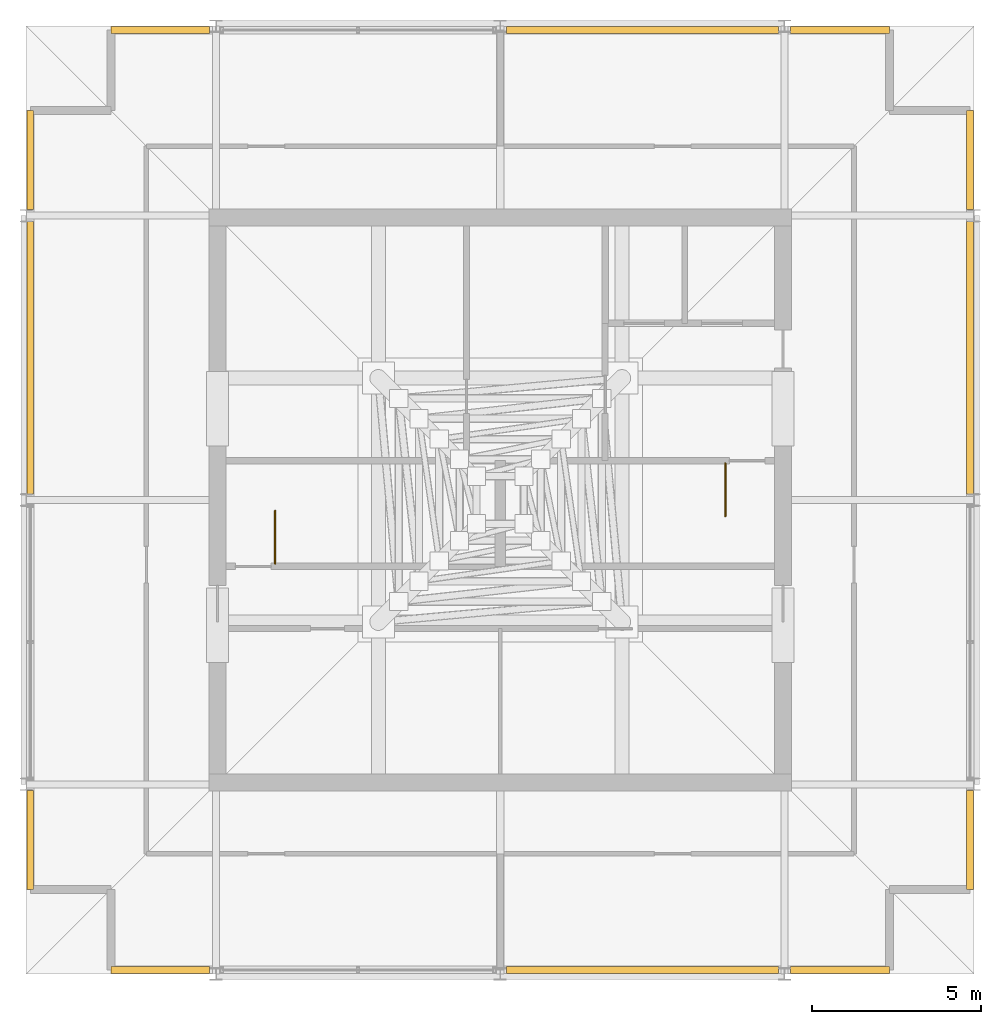
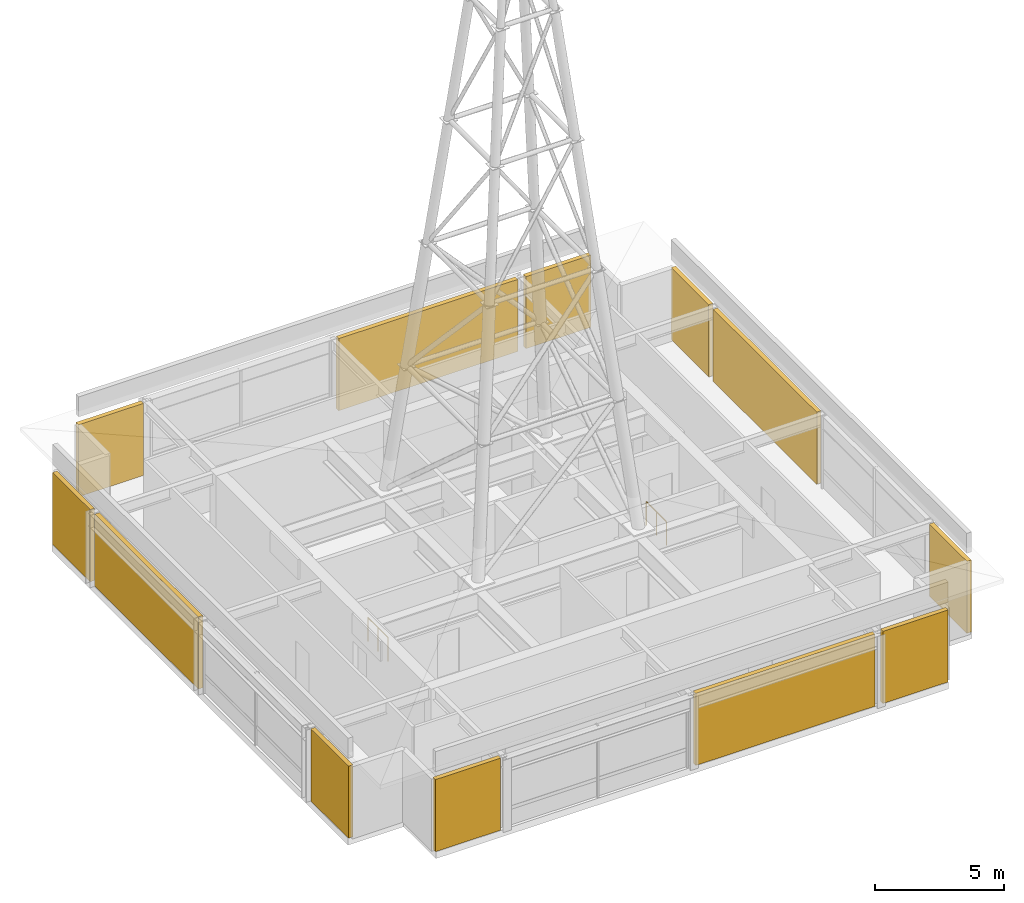
# One storey, part 13 of 13: 12 shading devices, 2 railings.
"""IFC4 building model written with IfcOpenShell, lengths in metres."""

from ifc_helpers import new_model, si_unit, direction, frame, origin, origin_2d, place, context, subcontext, project, spatial, rectangle, circle, extrude, material, layer, layer_set, type_object, element, save


model = new_model("IFC4")

# Units and contexts
model_context = context("Model", 3, precision=1e-05, world=origin(), true_north=direction((0.0, 1.0)))
body_context = subcontext(model_context, "Body", "Model", "MODEL_VIEW")
ifc_project = project(units=[si_unit("LENGTHUNIT", "METRE"), si_unit("AREAUNIT", "SQUARE_METRE"), si_unit("VOLUMEUNIT", "CUBIC_METRE"), si_unit("PLANEANGLEUNIT", "RADIAN"), si_unit("MASSUNIT", "GRAM", prefix="KILO")], contexts=[model_context])

# Site, building, storey
site_placement = place(None, origin())
site = spatial("IfcSite", under=ifc_project, at=site_placement, CompositionType="ELEMENT")
building_placement = place(site_placement, origin())
building = spatial("IfcBuilding", under=site, at=building_placement, Name="Drelvath Grand Hotel", CompositionType="ELEMENT")
storey_placement = place(building_placement, frame((0.0, 0.0, 323.199951171875)))
storey = spatial("IfcBuildingStorey", under=building, at=storey_placement, Name="L84", CompositionType="ELEMENT", Elevation=323.199951171875)

# Railings
ifc_material_1 = material(Name="Painted Steel S275", Category="steel")
railing_type = type_object("IfcRailingType", Name="Core Stair Well Guardrail 1100", PredefinedType="GUARDRAIL", material=ifc_material_1)
railing_1_placement = place(storey_placement, frame((-6.64990234375, 25.1201171875, 0.0)))
element("IfcRailing", 1, at=railing_1_placement, inside=storey, type_object=railing_type, Name="L84 ST-1 top well guard 1", PredefinedType="GUARDRAIL", context=body_context, shape_type="SweptSolid", body=[
    extrude(circle(Radius=0.02392578125, at=origin_2d()), frame((0.0, 0.0, 1.1259765625), z_axis=(0.0, 1.0, 0.0), x_axis=(-1.0, 0.0, 0.0)), (0.0, 0.0, 1.0), 1.559814453125),
    extrude(circle(Radius=0.02099609375, at=origin_2d()), origin(), (0.0, 0.0, 1.0), 1.101806640625),
    extrude(circle(Radius=0.02099609375, at=origin_2d()), frame((0.0, 0.77978515625, 0.0)), (0.0, 0.0, 1.0), 1.101806640625),
    extrude(circle(Radius=0.02099609375, at=origin_2d()), frame((0.0, 1.559814453125, 0.0)), (0.0, 0.0, 1.0), 1.101806640625),
])
railing_2_placement = place(storey_placement, frame((6.64990234375, 28.080078125, 0.0)))
element("IfcRailing", 2, at=railing_2_placement, inside=storey, type_object=railing_type, Name="L84 ST-2 top well guard 1", PredefinedType="GUARDRAIL", context=body_context, shape_type="SweptSolid", body=[
    extrude(circle(Radius=0.02392578125, at=origin_2d()), frame((0.0, 0.0, 1.1259765625), z_axis=(0.0, -1.0, 0.0), x_axis=(1.0, 0.0, 0.0)), (0.0, 0.0, 1.0), 1.56005859375),
    extrude(circle(Radius=0.02099609375, at=origin_2d()), origin(), (0.0, 0.0, 1.0), 1.101806640625),
    extrude(circle(Radius=0.02099609375, at=origin_2d()), frame((0.0, -0.780029296875, 0.0)), (0.0, 0.0, 1.0), 1.101806640625),
    extrude(circle(Radius=0.02099609375, at=origin_2d()), frame((0.0, -1.56005859375, 0.0)), (0.0, 0.0, 1.0), 1.101806640625),
])

# Shading devices
ifc_material_2 = material(Name="Platinum-Mist Anodised Aluminium Louvre", Category="aluminium")
ifc_layer = layer(ifc_material_2, 0.199951171875)
ifc_layer_set = layer_set([ifc_layer], Name="Platinum-Mist Anodised Aluminium Louvre")
shading_device_type = type_object("IfcShadingDeviceType", Name="Crown Drum Screened Acoustic Louvre 200", PredefinedType="USERDEFINED", material=ifc_layer_set)
shading_device_1_placement = place(storey_placement, frame((-13.8798828125, 16.962890625, 0.0), z_axis=(0.0, 0.0, 1.0), x_axis=(0.0, 1.0, 0.0)))
element("IfcShadingDevice", 3, at=shading_device_1_placement, inside=storey, type_object=shading_device_type, Name="L84 Crown Drum Acoustic Louvre W-1", ObjectType="LOUVRE", PredefinedType="USERDEFINED", context=body_context, shape_type="SweptSolid", body=[
    extrude(rectangle(XDim=2.926025390625, YDim=0.199951171875, at=origin_2d()), origin(), (0.0, 0.0, 1.0), 3.419921875),
])
shading_device_2_placement = place(storey_placement, frame((-13.8798828125, 31.199951171875, 0.0), z_axis=(0.0, 0.0, 1.0), x_axis=(0.0, 1.0, 0.0)))
element("IfcShadingDevice", 4, at=shading_device_2_placement, inside=storey, type_object=shading_device_type, Name="L84 Crown Drum Acoustic Louvre W-3", ObjectType="LOUVRE", PredefinedType="USERDEFINED", context=body_context, shape_type="SweptSolid", body=[
    extrude(rectangle(XDim=8.052001953125, YDim=0.199951171875, at=origin_2d()), origin(), (0.0, 0.0, 1.0), 3.419921875),
])
for number, where, z_axis, x_axis, name in (
    (5, (-13.8798828125, 37.037109375, 0.0), (0.0, 0.0, 1.0), (0.0, 1.0, 0.0), "L84 Crown Drum Acoustic Louvre W-4"),
    (6, (13.8798828125, 16.962890625, 0.0), (0.0, 0.0, 1.0), (0.0, 1.0, 0.0), "L84 Crown Drum Acoustic Louvre E-1"),
):
    element("IfcShadingDevice", number, at=place(storey_placement, frame(where, z_axis=z_axis, x_axis=x_axis)), inside=storey, type_object=shading_device_type, Name=name, ObjectType="LOUVRE", PredefinedType="USERDEFINED", context=body_context, shape_type="SweptSolid", body=[
        extrude(rectangle(XDim=2.926025390625, YDim=0.199951171875, at=origin_2d()), origin(), (0.0, 0.0, 1.0), 3.419921875),
    ])
shading_device_3_placement = place(storey_placement, frame((13.8798828125, 31.199951171875, 0.0), z_axis=(0.0, 0.0, 1.0), x_axis=(0.0, 1.0, 0.0)))
element("IfcShadingDevice", 7, at=shading_device_3_placement, inside=storey, type_object=shading_device_type, Name="L84 Crown Drum Acoustic Louvre E-3", ObjectType="LOUVRE", PredefinedType="USERDEFINED", context=body_context, shape_type="SweptSolid", body=[
    extrude(rectangle(XDim=8.052001953125, YDim=0.199951171875, at=origin_2d()), origin(), (0.0, 0.0, 1.0), 3.419921875),
])
shading_device_4_placement = place(storey_placement, frame((13.8798828125, 37.037109375, 0.0), z_axis=(0.0, 0.0, 1.0), x_axis=(0.0, 1.0, 0.0)))
element("IfcShadingDevice", 8, at=shading_device_4_placement, inside=storey, type_object=shading_device_type, Name="L84 Crown Drum Acoustic Louvre E-4", ObjectType="LOUVRE", PredefinedType="USERDEFINED", context=body_context, shape_type="SweptSolid", body=[
    extrude(rectangle(XDim=2.926025390625, YDim=0.199951171875, at=origin_2d()), origin(), (0.0, 0.0, 1.0), 3.419921875),
])
shading_device_5_placement = place(storey_placement, frame((-10.040283203125, 40.8798828125, 0.0), z_axis=(0.0, 0.0, 1.0), x_axis=(1.0, 0.0, 0.0)))
element("IfcShadingDevice", 9, at=shading_device_5_placement, inside=storey, type_object=shading_device_type, Name="L84 Crown Drum Acoustic Louvre N-1", ObjectType="LOUVRE", PredefinedType="USERDEFINED", context=body_context, shape_type="SweptSolid", body=[
    extrude(rectangle(XDim=2.919677734375, YDim=0.199951171875, at=origin_2d()), origin(), (0.0, 0.0, 1.0), 3.419921875),
])
shading_device_6_placement = place(storey_placement, frame((4.199951171875, 40.8798828125, 0.0), z_axis=(0.0, 0.0, 1.0), x_axis=(1.0, 0.0, 0.0)))
element("IfcShadingDevice", 10, at=shading_device_6_placement, inside=storey, type_object=shading_device_type, Name="L84 Crown Drum Acoustic Louvre N-3", ObjectType="LOUVRE", PredefinedType="USERDEFINED", context=body_context, shape_type="SweptSolid", body=[
    extrude(rectangle(XDim=8.039306640625, YDim=0.199951171875, at=origin_2d()), origin(), (0.0, 0.0, 1.0), 3.419921875),
])
for number, where, z_axis, x_axis, name in (
    (11, (10.040283203125, 40.8798828125, 0.0), (0.0, 0.0, 1.0), (1.0, 0.0, 0.0), "L84 Crown Drum Acoustic Louvre N-4"),
    (12, (-10.040283203125, 13.1201171875, 0.0), (0.0, 0.0, 1.0), (1.0, 0.0, 0.0), "L84 Crown Drum Acoustic Louvre S-1"),
):
    element("IfcShadingDevice", number, at=place(storey_placement, frame(where, z_axis=z_axis, x_axis=x_axis)), inside=storey, type_object=shading_device_type, Name=name, ObjectType="LOUVRE", PredefinedType="USERDEFINED", context=body_context, shape_type="SweptSolid", body=[
        extrude(rectangle(XDim=2.919677734375, YDim=0.199951171875, at=origin_2d()), origin(), (0.0, 0.0, 1.0), 3.419921875),
    ])
shading_device_7_placement = place(storey_placement, frame((4.199951171875, 13.1201171875, 0.0), z_axis=(0.0, 0.0, 1.0), x_axis=(1.0, 0.0, 0.0)))
element("IfcShadingDevice", 13, at=shading_device_7_placement, inside=storey, type_object=shading_device_type, Name="L84 Crown Drum Acoustic Louvre S-3", ObjectType="LOUVRE", PredefinedType="USERDEFINED", context=body_context, shape_type="SweptSolid", body=[
    extrude(rectangle(XDim=8.039306640625, YDim=0.199951171875, at=origin_2d()), origin(), (0.0, 0.0, 1.0), 3.419921875),
])
shading_device_8_placement = place(storey_placement, frame((10.040283203125, 13.1201171875, 0.0), z_axis=(0.0, 0.0, 1.0), x_axis=(1.0, 0.0, 0.0)))
element("IfcShadingDevice", 14, at=shading_device_8_placement, inside=storey, type_object=shading_device_type, Name="L84 Crown Drum Acoustic Louvre S-4", ObjectType="LOUVRE", PredefinedType="USERDEFINED", context=body_context, shape_type="SweptSolid", body=[
    extrude(rectangle(XDim=2.919677734375, YDim=0.199951171875, at=origin_2d()), origin(), (0.0, 0.0, 1.0), 3.419921875),
])

save(model, "model.ifc")
